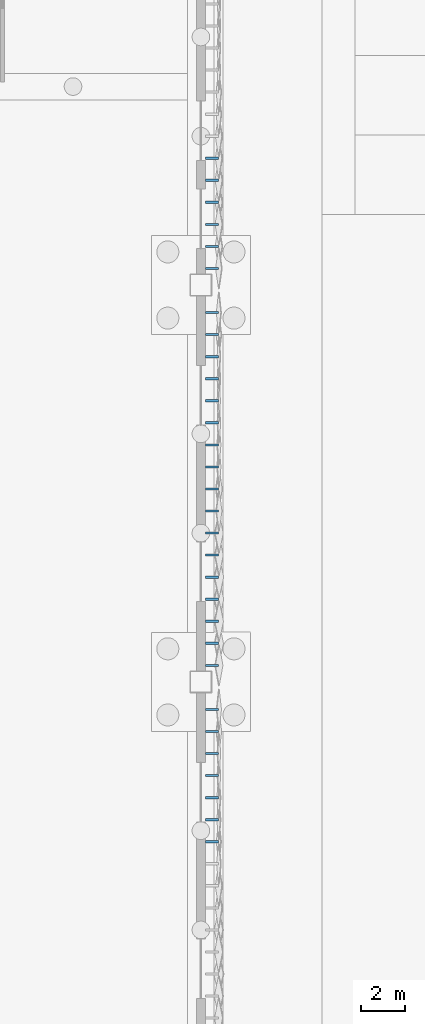
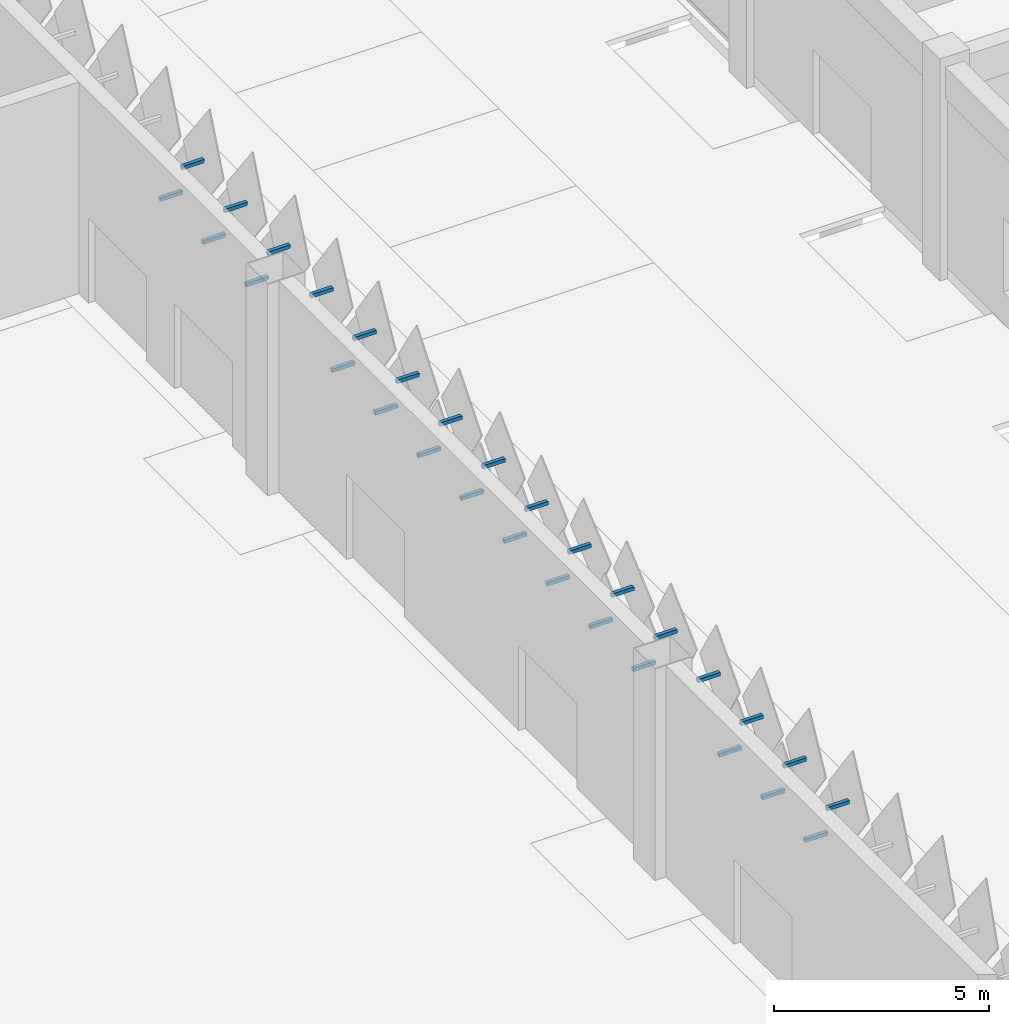
# One storey, part 129 of 198: 30 discrete accessories.
"""IFC4 building model written with IfcOpenShell, lengths in metres."""

from ifc_helpers import new_model, si_unit, direction, frame, origin, place, context, subcontext, project, spatial, polyline, outline, extrude, material, type_object, element, save


model = new_model("IFC4")

# Units and contexts
model_context = context("Model", 3, precision=1e-05, world=origin(), true_north=direction((0.0, 1.0)))
body_context = subcontext(model_context, "Body", "Model", "MODEL_VIEW")
ifc_project = project(units=[si_unit("LENGTHUNIT", "METRE"), si_unit("AREAUNIT", "SQUARE_METRE"), si_unit("VOLUMEUNIT", "CUBIC_METRE"), si_unit("PLANEANGLEUNIT", "RADIAN"), si_unit("MASSUNIT", "GRAM", prefix="KILO")], contexts=[model_context])

# Site, building, storey
site_placement = place(None, origin())
site = spatial("IfcSite", under=ifc_project, at=site_placement, CompositionType="ELEMENT")
building_placement = place(site_placement, origin())
building = spatial("IfcBuilding", under=site, at=building_placement, Name="Opaline Strait Convention Centre", CompositionType="ELEMENT")
storey_placement = place(building_placement, origin())
storey = spatial("IfcBuildingStorey", under=building, at=storey_placement, Name="L00", CompositionType="ELEMENT", Elevation=0.0)

# Discrete accessories
ifc_material = material(Name="Steel Q355B", Category="steel")
discrete_accessory_type = type_object("IfcDiscreteAccessoryType", Name="Tile bracket 100x100 steel", PredefinedType="BRACKET", material=ifc_material)
discrete_accessory_1_placement = place(storey_placement, frame((261.199951171875, 101.699951171875, 4.39208984375), z_axis=(0.0, 1.0, 0.0), x_axis=(-1.0, 0.0, 0.0)))
element("IfcDiscreteAccessory", 1, at=discrete_accessory_1_placement, inside=storey, type_object=discrete_accessory_type, Name="Tile bracket XT06 E", PredefinedType="BRACKET", context=body_context, shape_type="SweptSolid", body=[
    extrude(outline(polyline([(0.0, -0.050048828125), (0.0, 0.050048828125), (-0.6025390625, 0.050048828125), (-0.597412109375, -0.050048828125), (0.0, -0.050048828125)])), origin(), (0.0, 0.0, 1.0), 0.10009765625),
])
discrete_accessory_2_placement = place(storey_placement, frame((261.199951171875, 103.699951171875, 4.39208984375), z_axis=(0.0, 1.0, 0.0), x_axis=(-1.0, 0.0, 0.0)))
element("IfcDiscreteAccessory", 2, at=discrete_accessory_2_placement, inside=storey, type_object=discrete_accessory_type, Name="Tile bracket XT06 E", PredefinedType="BRACKET", context=body_context, shape_type="SweptSolid", body=[
    extrude(outline(polyline([(0.0, -0.050048828125), (0.0, 0.050048828125), (-0.597412109375, 0.050048828125), (-0.6025390625, -0.050048828125), (0.0, -0.050048828125)])), origin(), (0.0, 0.0, 1.0), 0.10009765625),
])
discrete_accessory_3_placement = place(storey_placement, frame((261.199951171875, 105.699951171875, 4.39208984375), z_axis=(0.0, 1.0, 0.0), x_axis=(-1.0, 0.0, 0.0)))
element("IfcDiscreteAccessory", 3, at=discrete_accessory_3_placement, inside=storey, type_object=discrete_accessory_type, Name="Tile bracket XT10 E", PredefinedType="BRACKET", context=body_context, shape_type="SweptSolid", body=[
    extrude(outline(polyline([(0.0, -0.050048828125), (0.0, 0.050048828125), (-0.595703125, 0.050048828125), (-0.604248046875, -0.050048828125), (0.0, -0.050048828125)])), origin(), (0.0, 0.0, 1.0), 0.10009765625),
])
discrete_accessory_4_placement = place(storey_placement, frame((261.199951171875, 109.699951171875, 4.39208984375), z_axis=(0.0, 1.0, 0.0), x_axis=(-1.0, 0.0, 0.0)))
element("IfcDiscreteAccessory", 4, at=discrete_accessory_4_placement, inside=storey, type_object=discrete_accessory_type, Name="Tile bracket XT16 E", PredefinedType="BRACKET", context=body_context, shape_type="SweptSolid", body=[
    extrude(outline(polyline([(0.0, -0.050048828125), (0.0, 0.050048828125), (-0.593017578125, 0.050048828125), (-0.60693359375, -0.050048828125), (0.0, -0.050048828125)])), origin(), (0.0, 0.0, 1.0), 0.10009765625),
])
discrete_accessory_5_placement = place(storey_placement, frame((261.199951171875, 111.699951171875, 4.39208984375), z_axis=(0.0, 1.0, 0.0), x_axis=(-1.0, 0.0, 0.0)))
element("IfcDiscreteAccessory", 5, at=discrete_accessory_5_placement, inside=storey, type_object=discrete_accessory_type, Name="Tile bracket XT17 E", PredefinedType="BRACKET", context=body_context, shape_type="SweptSolid", body=[
    extrude(outline(polyline([(0.0, -0.050048828125), (0.0, 0.050048828125), (-0.592529296875, 0.050048828125), (-0.607421875, -0.050048828125), (0.0, -0.050048828125)])), origin(), (0.0, 0.0, 1.0), 0.10009765625),
])
discrete_accessory_6_placement = place(storey_placement, frame((261.199951171875, 113.699951171875, 4.39208984375), z_axis=(0.0, 1.0, 0.0), x_axis=(-1.0, 0.0, 0.0)))
element("IfcDiscreteAccessory", 6, at=discrete_accessory_6_placement, inside=storey, type_object=discrete_accessory_type, Name="Tile bracket XT15 E", PredefinedType="BRACKET", context=body_context, shape_type="SweptSolid", body=[
    extrude(outline(polyline([(0.0, -0.050048828125), (0.0, 0.050048828125), (-0.593505859375, 0.050048828125), (-0.606689453125, -0.050048828125), (0.0, -0.050048828125)])), origin(), (0.0, 0.0, 1.0), 0.10009765625),
])
discrete_accessory_7_placement = place(storey_placement, frame((261.199951171875, 115.699951171875, 4.39208984375), z_axis=(0.0, 1.0, 0.0), x_axis=(-1.0, 0.0, 0.0)))
element("IfcDiscreteAccessory", 7, at=discrete_accessory_7_placement, inside=storey, type_object=discrete_accessory_type, Name="Tile bracket XT11 E", PredefinedType="BRACKET", context=body_context, shape_type="SweptSolid", body=[
    extrude(outline(polyline([(0.0, -0.050048828125), (0.0, 0.050048828125), (-0.59521484375, 0.050048828125), (-0.604736328125, -0.050048828125), (0.0, -0.050048828125)])), origin(), (0.0, 0.0, 1.0), 0.10009765625),
])
discrete_accessory_8_placement = place(storey_placement, frame((261.199951171875, 117.699951171875, 4.39208984375), z_axis=(0.0, 1.0, 0.0), x_axis=(-1.0, 0.0, 0.0)))
element("IfcDiscreteAccessory", 8, at=discrete_accessory_8_placement, inside=storey, type_object=discrete_accessory_type, Name="Tile bracket XT07 E", PredefinedType="BRACKET", context=body_context, shape_type="SweptSolid", body=[
    extrude(outline(polyline([(0.0, -0.050048828125), (0.0, 0.050048828125), (-0.596923828125, 0.050048828125), (-0.60302734375, -0.050048828125), (0.0, -0.050048828125)])), origin(), (0.0, 0.0, 1.0), 0.10009765625),
])
discrete_accessory_9_placement = place(storey_placement, frame((261.199951171875, 119.699951171875, 4.39208984375), z_axis=(0.0, 1.0, 0.0), x_axis=(-1.0, 0.0, 0.0)))
element("IfcDiscreteAccessory", 9, at=discrete_accessory_9_placement, inside=storey, type_object=discrete_accessory_type, Name="Tile bracket XT06 E", PredefinedType="BRACKET", context=body_context, shape_type="SweptSolid", body=[
    extrude(outline(polyline([(0.0, -0.050048828125), (0.0, 0.050048828125), (-0.597412109375, 0.050048828125), (-0.6025390625, -0.050048828125), (0.0, -0.050048828125)])), origin(), (0.0, 0.0, 1.0), 0.10009765625),
])
discrete_accessory_10_placement = place(storey_placement, frame((261.199951171875, 121.699951171875, 4.39208984375), z_axis=(0.0, 1.0, 0.0), x_axis=(-1.0, 0.0, 0.0)))
element("IfcDiscreteAccessory", 10, at=discrete_accessory_10_placement, inside=storey, type_object=discrete_accessory_type, Name="Tile bracket XT05 E", PredefinedType="BRACKET", context=body_context, shape_type="SweptSolid", body=[
    extrude(outline(polyline([(0.0, -0.050048828125), (0.0, 0.050048828125), (-0.602294921875, 0.050048828125), (-0.597900390625, -0.050048828125), (0.0, -0.050048828125)])), origin(), (0.0, 0.0, 1.0), 0.10009765625),
])
discrete_accessory_11_placement = place(storey_placement, frame((261.199951171875, 123.699951171875, 4.39208984375), z_axis=(0.0, 1.0, 0.0), x_axis=(-1.0, 0.0, 0.0)))
element("IfcDiscreteAccessory", 11, at=discrete_accessory_11_placement, inside=storey, type_object=discrete_accessory_type, Name="Tile bracket XT09 E", PredefinedType="BRACKET", context=body_context, shape_type="SweptSolid", body=[
    extrude(outline(polyline([(0.0, -0.050048828125), (0.0, 0.050048828125), (-0.60400390625, 0.050048828125), (-0.595947265625, -0.050048828125), (0.0, -0.050048828125)])), origin(), (0.0, 0.0, 1.0), 0.10009765625),
])
for number, where, z_axis, x_axis, name in (
    (12, (261.199951171875, 127.699951171875, 4.39208984375), (0.0, 1.0, 0.0), (-1.0, 0.0, 0.0), "Tile bracket XT13 E"),
    (13, (261.199951171875, 129.699951171875, 4.39208984375), (0.0, 1.0, 0.0), (-1.0, 0.0, 0.0), "Tile bracket XT13 E"),
):
    element("IfcDiscreteAccessory", number, at=place(storey_placement, frame(where, z_axis=z_axis, x_axis=x_axis)), inside=storey, type_object=discrete_accessory_type, Name=name, PredefinedType="BRACKET", context=body_context, shape_type="SweptSolid", body=[
        extrude(outline(polyline([(0.0, -0.050048828125), (0.0, 0.050048828125), (-0.605712890625, 0.050048828125), (-0.59423828125, -0.050048828125), (0.0, -0.050048828125)])), origin(), (0.0, 0.0, 1.0), 0.10009765625),
    ])
discrete_accessory_12_placement = place(storey_placement, frame((261.199951171875, 131.699951171875, 4.39208984375), z_axis=(0.0, 1.0, 0.0), x_axis=(-1.0, 0.0, 0.0)))
element("IfcDiscreteAccessory", 14, at=discrete_accessory_12_placement, inside=storey, type_object=discrete_accessory_type, Name="Tile bracket XT12 E", PredefinedType="BRACKET", context=body_context, shape_type="SweptSolid", body=[
    extrude(outline(polyline([(0.0, -0.050048828125), (0.0, 0.050048828125), (-0.605224609375, 0.050048828125), (-0.5947265625, -0.050048828125), (0.0, -0.050048828125)])), origin(), (0.0, 0.0, 1.0), 0.10009765625),
])
discrete_accessory_13_placement = place(storey_placement, frame((261.199951171875, 100.699951171875, 5.89208984375), z_axis=(0.0, 1.0, 0.0), x_axis=(-1.0, 0.0, 0.0)))
element("IfcDiscreteAccessory", 15, at=discrete_accessory_13_placement, inside=storey, type_object=discrete_accessory_type, Name="Tile bracket XT08 E", PredefinedType="BRACKET", context=body_context, shape_type="SweptSolid", body=[
    extrude(outline(polyline([(0.0, -0.050048828125), (0.0, 0.050048828125), (-0.603515625, 0.050048828125), (-0.596435546875, -0.050048828125), (0.0, -0.050048828125)])), origin(), (0.0, 0.0, 1.0), 0.10009765625),
])
discrete_accessory_14_placement = place(storey_placement, frame((261.199951171875, 102.699951171875, 5.89208984375), z_axis=(0.0, 1.0, 0.0), x_axis=(-1.0, 0.0, 0.0)))
element("IfcDiscreteAccessory", 16, at=discrete_accessory_14_placement, inside=storey, type_object=discrete_accessory_type, Name="Tile bracket XT06 E", PredefinedType="BRACKET", context=body_context, shape_type="SweptSolid", body=[
    extrude(outline(polyline([(0.0, -0.050048828125), (0.0, 0.050048828125), (-0.6025390625, 0.050048828125), (-0.597412109375, -0.050048828125), (0.0, -0.050048828125)])), origin(), (0.0, 0.0, 1.0), 0.10009765625),
])
discrete_accessory_15_placement = place(storey_placement, frame((261.199951171875, 104.699951171875, 5.89208984375), z_axis=(0.0, 1.0, 0.0), x_axis=(-1.0, 0.0, 0.0)))
element("IfcDiscreteAccessory", 17, at=discrete_accessory_15_placement, inside=storey, type_object=discrete_accessory_type, Name="Tile bracket XT06 E", PredefinedType="BRACKET", context=body_context, shape_type="SweptSolid", body=[
    extrude(outline(polyline([(0.0, -0.050048828125), (0.0, 0.050048828125), (-0.597412109375, 0.050048828125), (-0.6025390625, -0.050048828125), (0.0, -0.050048828125)])), origin(), (0.0, 0.0, 1.0), 0.10009765625),
])
discrete_accessory_16_placement = place(storey_placement, frame((261.199951171875, 106.699951171875, 5.89208984375), z_axis=(0.0, 1.0, 0.0), x_axis=(-1.0, 0.0, 0.0)))
element("IfcDiscreteAccessory", 18, at=discrete_accessory_16_placement, inside=storey, type_object=discrete_accessory_type, Name="Tile bracket XT09 E", PredefinedType="BRACKET", context=body_context, shape_type="SweptSolid", body=[
    extrude(outline(polyline([(0.0, -0.050048828125), (0.0, 0.050048828125), (-0.595947265625, 0.050048828125), (-0.60400390625, -0.050048828125), (0.0, -0.050048828125)])), origin(), (0.0, 0.0, 1.0), 0.10009765625),
])
discrete_accessory_17_placement = place(storey_placement, frame((261.199951171875, 108.699951171875, 5.89208984375), z_axis=(0.0, 1.0, 0.0), x_axis=(-1.0, 0.0, 0.0)))
element("IfcDiscreteAccessory", 19, at=discrete_accessory_17_placement, inside=storey, type_object=discrete_accessory_type, Name="Tile bracket XT14 E", PredefinedType="BRACKET", context=body_context, shape_type="SweptSolid", body=[
    extrude(outline(polyline([(0.0, -0.050048828125), (0.0, 0.050048828125), (-0.59375, 0.050048828125), (-0.606201171875, -0.050048828125), (0.0, -0.050048828125)])), origin(), (0.0, 0.0, 1.0), 0.10009765625),
])
discrete_accessory_18_placement = place(storey_placement, frame((261.199951171875, 110.699951171875, 5.89208984375), z_axis=(0.0, 1.0, 0.0), x_axis=(-1.0, 0.0, 0.0)))
element("IfcDiscreteAccessory", 20, at=discrete_accessory_18_placement, inside=storey, type_object=discrete_accessory_type, Name="Tile bracket XT16 E", PredefinedType="BRACKET", context=body_context, shape_type="SweptSolid", body=[
    extrude(outline(polyline([(0.0, -0.050048828125), (0.0, 0.050048828125), (-0.593017578125, 0.050048828125), (-0.60693359375, -0.050048828125), (0.0, -0.050048828125)])), origin(), (0.0, 0.0, 1.0), 0.10009765625),
])
discrete_accessory_19_placement = place(storey_placement, frame((261.199951171875, 112.699951171875, 5.89208984375), z_axis=(0.0, 1.0, 0.0), x_axis=(-1.0, 0.0, 0.0)))
element("IfcDiscreteAccessory", 21, at=discrete_accessory_19_placement, inside=storey, type_object=discrete_accessory_type, Name="Tile bracket XT17 E", PredefinedType="BRACKET", context=body_context, shape_type="SweptSolid", body=[
    extrude(outline(polyline([(0.0, -0.050048828125), (0.0, 0.050048828125), (-0.592529296875, 0.050048828125), (-0.607421875, -0.050048828125), (0.0, -0.050048828125)])), origin(), (0.0, 0.0, 1.0), 0.10009765625),
])
discrete_accessory_20_placement = place(storey_placement, frame((261.199951171875, 114.699951171875, 5.89208984375), z_axis=(0.0, 1.0, 0.0), x_axis=(-1.0, 0.0, 0.0)))
element("IfcDiscreteAccessory", 22, at=discrete_accessory_20_placement, inside=storey, type_object=discrete_accessory_type, Name="Tile bracket XT15 E", PredefinedType="BRACKET", context=body_context, shape_type="SweptSolid", body=[
    extrude(outline(polyline([(0.0, -0.050048828125), (0.0, 0.050048828125), (-0.593505859375, 0.050048828125), (-0.606689453125, -0.050048828125), (0.0, -0.050048828125)])), origin(), (0.0, 0.0, 1.0), 0.10009765625),
])
discrete_accessory_21_placement = place(storey_placement, frame((261.199951171875, 116.699951171875, 5.89208984375), z_axis=(0.0, 1.0, 0.0), x_axis=(-1.0, 0.0, 0.0)))
element("IfcDiscreteAccessory", 23, at=discrete_accessory_21_placement, inside=storey, type_object=discrete_accessory_type, Name="Tile bracket XT12 E", PredefinedType="BRACKET", context=body_context, shape_type="SweptSolid", body=[
    extrude(outline(polyline([(0.0, -0.050048828125), (0.0, 0.050048828125), (-0.5947265625, 0.050048828125), (-0.605224609375, -0.050048828125), (0.0, -0.050048828125)])), origin(), (0.0, 0.0, 1.0), 0.10009765625),
])
discrete_accessory_22_placement = place(storey_placement, frame((261.199951171875, 118.699951171875, 5.89208984375), z_axis=(0.0, 1.0, 0.0), x_axis=(-1.0, 0.0, 0.0)))
element("IfcDiscreteAccessory", 24, at=discrete_accessory_22_placement, inside=storey, type_object=discrete_accessory_type, Name="Tile bracket XT07 E", PredefinedType="BRACKET", context=body_context, shape_type="SweptSolid", body=[
    extrude(outline(polyline([(0.0, -0.050048828125), (0.0, 0.050048828125), (-0.596923828125, 0.050048828125), (-0.60302734375, -0.050048828125), (0.0, -0.050048828125)])), origin(), (0.0, 0.0, 1.0), 0.10009765625),
])
discrete_accessory_23_placement = place(storey_placement, frame((261.199951171875, 120.699951171875, 5.89208984375), z_axis=(0.0, 1.0, 0.0), x_axis=(-1.0, 0.0, 0.0)))
element("IfcDiscreteAccessory", 25, at=discrete_accessory_23_placement, inside=storey, type_object=discrete_accessory_type, Name="Tile bracket XT05 E", PredefinedType="BRACKET", context=body_context, shape_type="SweptSolid", body=[
    extrude(outline(polyline([(0.0, -0.050048828125), (0.0, 0.050048828125), (-0.597900390625, 0.050048828125), (-0.602294921875, -0.050048828125), (0.0, -0.050048828125)])), origin(), (0.0, 0.0, 1.0), 0.10009765625),
])
discrete_accessory_24_placement = place(storey_placement, frame((261.199951171875, 122.699951171875, 5.89208984375), z_axis=(0.0, 1.0, 0.0), x_axis=(-1.0, 0.0, 0.0)))
element("IfcDiscreteAccessory", 26, at=discrete_accessory_24_placement, inside=storey, type_object=discrete_accessory_type, Name="Tile bracket XT05 E", PredefinedType="BRACKET", context=body_context, shape_type="SweptSolid", body=[
    extrude(outline(polyline([(0.0, -0.050048828125), (0.0, 0.050048828125), (-0.602294921875, 0.050048828125), (-0.597900390625, -0.050048828125), (0.0, -0.050048828125)])), origin(), (0.0, 0.0, 1.0), 0.10009765625),
])
discrete_accessory_25_placement = place(storey_placement, frame((261.199951171875, 124.699951171875, 5.89208984375), z_axis=(0.0, 1.0, 0.0), x_axis=(-1.0, 0.0, 0.0)))
element("IfcDiscreteAccessory", 27, at=discrete_accessory_25_placement, inside=storey, type_object=discrete_accessory_type, Name="Tile bracket XT08 E", PredefinedType="BRACKET", context=body_context, shape_type="SweptSolid", body=[
    extrude(outline(polyline([(0.0, -0.050048828125), (0.0, 0.050048828125), (-0.603515625, 0.050048828125), (-0.596435546875, -0.050048828125), (0.0, -0.050048828125)])), origin(), (0.0, 0.0, 1.0), 0.10009765625),
])
discrete_accessory_26_placement = place(storey_placement, frame((261.199951171875, 126.699951171875, 5.89208984375), z_axis=(0.0, 1.0, 0.0), x_axis=(-1.0, 0.0, 0.0)))
element("IfcDiscreteAccessory", 28, at=discrete_accessory_26_placement, inside=storey, type_object=discrete_accessory_type, Name="Tile bracket XT11 E", PredefinedType="BRACKET", context=body_context, shape_type="SweptSolid", body=[
    extrude(outline(polyline([(0.0, -0.050048828125), (0.0, 0.050048828125), (-0.604736328125, 0.050048828125), (-0.59521484375, -0.050048828125), (0.0, -0.050048828125)])), origin(), (0.0, 0.0, 1.0), 0.10009765625),
])
for number, where, z_axis, x_axis, name in (
    (29, (261.199951171875, 128.699951171875, 5.89208984375), (0.0, 1.0, 0.0), (-1.0, 0.0, 0.0), "Tile bracket XT13 E"),
    (30, (261.199951171875, 130.699951171875, 5.89208984375), (0.0, 1.0, 0.0), (-1.0, 0.0, 0.0), "Tile bracket XT13 E"),
):
    element("IfcDiscreteAccessory", number, at=place(storey_placement, frame(where, z_axis=z_axis, x_axis=x_axis)), inside=storey, type_object=discrete_accessory_type, Name=name, PredefinedType="BRACKET", context=body_context, shape_type="SweptSolid", body=[
        extrude(outline(polyline([(0.0, -0.050048828125), (0.0, 0.050048828125), (-0.605712890625, 0.050048828125), (-0.59423828125, -0.050048828125), (0.0, -0.050048828125)])), origin(), (0.0, 0.0, 1.0), 0.10009765625),
    ])

save(model, "model.ifc")
